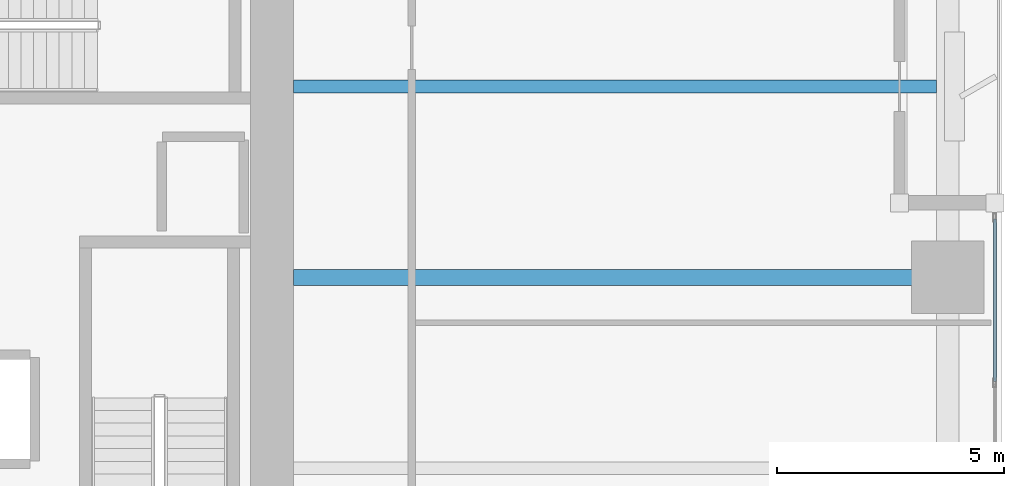
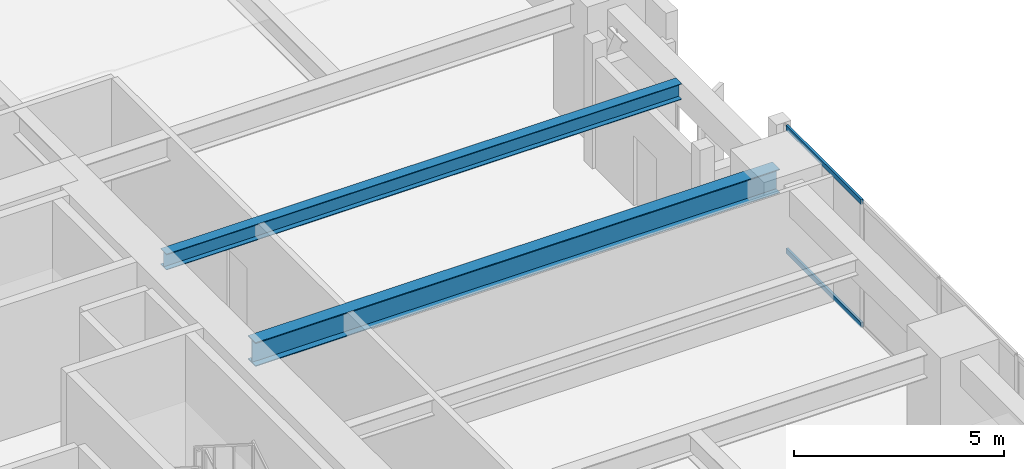
# One storey, part 9 of 29: 2 beams, 2 members, 1 element without a shape of its own.
"""IFC4 building model written with IfcOpenShell, lengths in metres."""

from ifc_helpers import new_model, si_unit, direction, frame, origin, origin_2d, place, context, subcontext, project, spatial, hollow_rectangle, i_section, extrude, material, layer, layer_set, material_profile, profile_set, type_object, element, aggregate, save


model = new_model("IFC4")

# Units and contexts
model_context = context("Model", 3, precision=1e-05, world=origin(), true_north=direction((0.0, 1.0)))
body_context = subcontext(model_context, "Body", "Model", "MODEL_VIEW")
ifc_project = project(units=[si_unit("LENGTHUNIT", "METRE"), si_unit("AREAUNIT", "SQUARE_METRE"), si_unit("VOLUMEUNIT", "CUBIC_METRE"), si_unit("PLANEANGLEUNIT", "RADIAN"), si_unit("MASSUNIT", "GRAM", prefix="KILO")], contexts=[model_context])

# Site, building, storey
site_placement = place(None, origin())
site = spatial("IfcSite", under=ifc_project, at=site_placement, CompositionType="ELEMENT")
building_placement = place(site_placement, origin())
building = spatial("IfcBuilding", under=site, at=building_placement, Name="Kiyonajd Concourse Tower", CompositionType="ELEMENT")
storey_placement = place(building_placement, frame((0.0, 0.0, 48.89990234375)))
storey = spatial("IfcBuildingStorey", under=building, at=storey_placement, Name="L13", CompositionType="ELEMENT", Elevation=48.89990234375)

# Beams
ifc_material_1 = material(Name="Steel ASTM A992 Grade 50", Category="steel")
ifc_material_profile_1 = material_profile(ifc_material_1, i_section(OverallWidth=0.280029296875, OverallDepth=0.462890625, WebThickness=0.0107421875, FlangeThickness=0.017333984375, at=origin_2d()), Name="W460X113")
ifc_profile_set_1 = profile_set([ifc_material_profile_1], Name="Steel ASTM A992 Grade 50")
beam_type_1 = type_object("IfcBeamType", Name="BM-JST-460A", PredefinedType="JOIST", material=ifc_profile_set_1)
beam_1_placement = place(storey_placement, frame((63.60009765625, 40.199951171875, 3.40869140625), z_axis=(1.0, 0.0, 0.0), x_axis=(0.0, 1.0, 0.0)))
element("IfcBeam", 1, at=beam_1_placement, inside=storey, type_object=beam_type_1, Name="L13 East Secondary Floor Joist", PredefinedType="JOIST", context=body_context, shape_type="SweptSolid", body=[
    extrude(i_section(OverallWidth=0.280029296875, OverallDepth=0.462890625, WebThickness=0.0107421875, FlangeThickness=0.017333984375, at=origin_2d()), origin(), (0.0, 0.0, 1.0), 14.14990234375),
])
ifc_material_profile_2 = material_profile(ifc_material_1, i_section(OverallWidth=0.35498046875, OverallDepth=0.695068359375, WebThickness=0.015380859375, FlangeThickness=0.02490234375, at=origin_2d()), Name="W690X217")
ifc_profile_set_2 = profile_set([ifc_material_profile_2], Name="Steel ASTM A992 Grade 50")
beam_type_2 = type_object("IfcBeamType", Name="BM-TWR-690", PredefinedType="BEAM", material=ifc_profile_set_2)
beam_2_placement = place(storey_placement, frame((63.60009765625, 36.0, 3.29248046875), z_axis=(1.0, 0.0, 0.0), x_axis=(0.0, 1.0, 0.0)))
element("IfcBeam", 2, at=beam_2_placement, inside=storey, type_object=beam_type_2, Name="L13 East Lease Girder", PredefinedType="BEAM", context=body_context, shape_type="SweptSolid", body=[
    extrude(i_section(OverallWidth=0.35498046875, OverallDepth=0.695068359375, WebThickness=0.015380859375, FlangeThickness=0.02490234375, at=origin_2d()), origin(), (0.0, 0.0, 1.0), 14.39990234375),
])

# Curtain wall, members
ifc_material_2 = material(Name="Thermally Broken Anodised Aluminium", Category="aluminium")
ifc_layer = layer(ifc_material_2, 0.179931640625)
ifc_layer_set = layer_set([ifc_layer], Name="Thermally Broken Anodised Aluminium")
curtain_wall_type = type_object("IfcCurtainWallType", Name="CW-SYS-02", PredefinedType="NOTDEFINED", material=ifc_layer_set)
curtain_wall_placement = place(storey_placement, origin())
curtain_wall = element("IfcCurtainWall", 3, at=curtain_wall_placement, inside=storey, type_object=curtain_wall_type, Name="L13 Unitised Curtain Wall CW2", PredefinedType="NOTDEFINED")
ifc_material_profile_3 = material_profile(ifc_material_2, hollow_rectangle(XDim=0.06494140625, YDim=0.139892578125, WallThickness=0.00390625, at=origin_2d()), Name="TRAN-65x140")
ifc_profile_set_3 = profile_set([ifc_material_profile_3], Name="Thermally Broken Anodised Aluminium")
member_type = type_object("IfcMemberType", Name="MB-CW-TRAN1", PredefinedType="USERDEFINED", material=ifc_profile_set_3)
member_1_placement = place(storey_placement, frame((79.0400390625, 37.284912109375, 0.03271484375), z_axis=(0.0, -1.0, 0.0), x_axis=(1.0, 0.0, 0.0)))
member_1 = element("IfcMember", 4, at=member_1_placement, type_object=member_type, Name="CW2 transom 1.1", ObjectType="TRANSOM", PredefinedType="USERDEFINED", context=body_context, shape_type="SweptSolid", body=[
    extrude(hollow_rectangle(XDim=0.06494140625, YDim=0.139892578125, WallThickness=0.00390625, at=origin_2d()), origin(), (0.0, 0.0, 1.0), 3.57568359375),
])
member_2_placement = place(storey_placement, frame((79.0400390625, 37.284912109375, 3.607666015625), z_axis=(0.0, -1.0, 0.0), x_axis=(1.0, 0.0, 0.0)))
member_2 = element("IfcMember", 5, at=member_2_placement, type_object=member_type, Name="CW2 transom 1.2", ObjectType="TRANSOM", PredefinedType="USERDEFINED", context=body_context, shape_type="SweptSolid", body=[
    extrude(hollow_rectangle(XDim=0.06494140625, YDim=0.139892578125, WallThickness=0.00390625, at=origin_2d()), origin(), (0.0, 0.0, 1.0), 3.57568359375),
])
aggregate(curtain_wall, [member_1, member_2])

save(model, "model.ifc")
